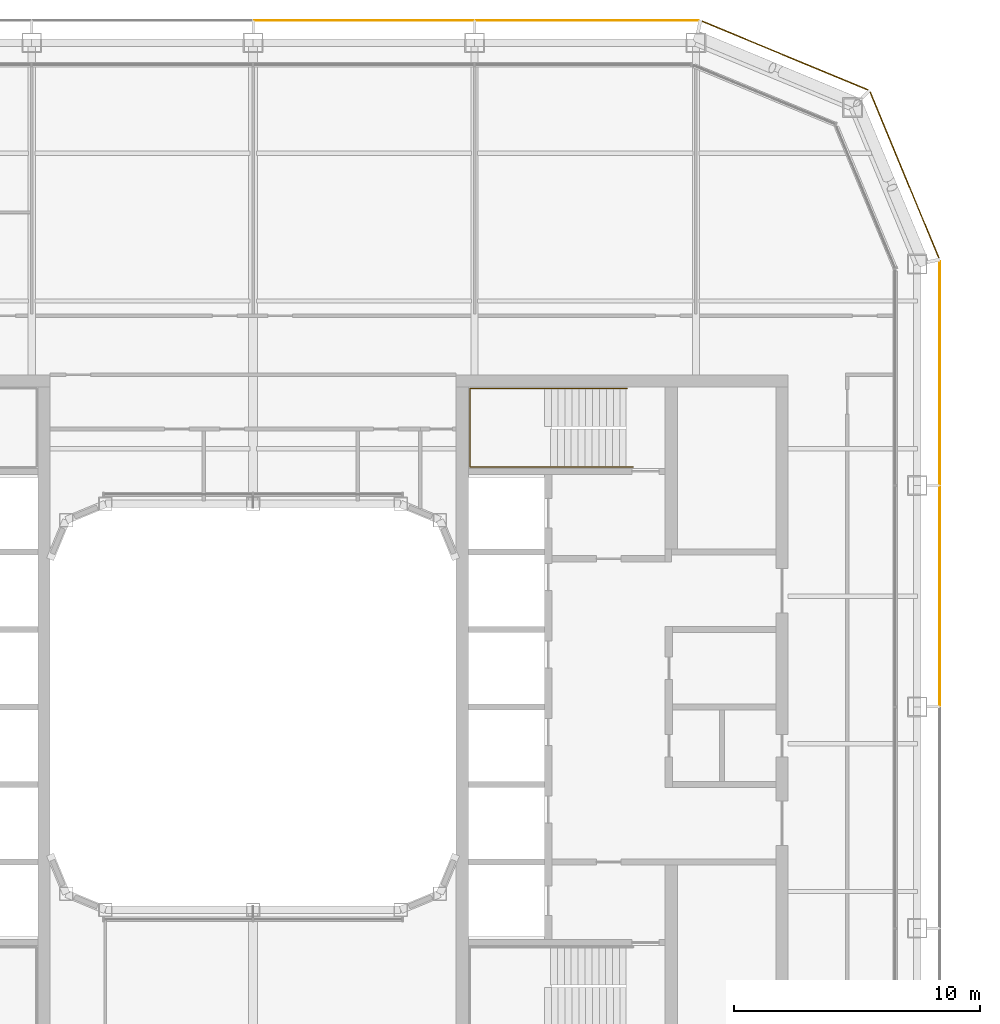
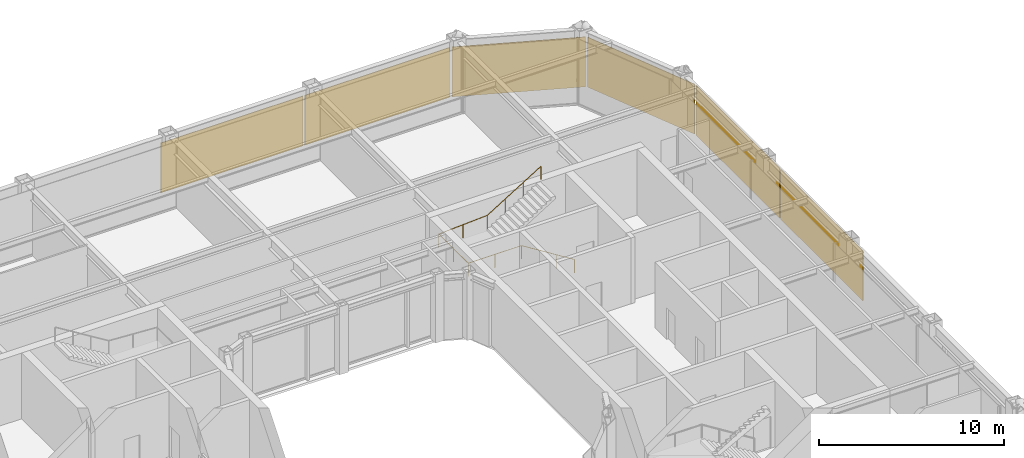
# One storey, part 21 of 22: 6 coverings, 1 railing.
"""IFC4 building model written with IfcOpenShell, lengths in metres."""

from ifc_helpers import new_model, si_unit, direction, frame, origin, origin_2d, place, context, subcontext, project, spatial, rectangle, circle, extrude, material, layer, layer_set, type_object, element, save


model = new_model("IFC4")

# Units and contexts
model_context = context("Model", 3, precision=1e-05, world=origin(), true_north=direction((0.0, 1.0)))
body_context = subcontext(model_context, "Body", "Model", "MODEL_VIEW")
ifc_project = project(units=[si_unit("LENGTHUNIT", "METRE"), si_unit("AREAUNIT", "SQUARE_METRE"), si_unit("VOLUMEUNIT", "CUBIC_METRE"), si_unit("PLANEANGLEUNIT", "RADIAN"), si_unit("MASSUNIT", "GRAM", prefix="KILO")], contexts=[model_context])

# Site, building, storey
site_placement = place(None, origin())
site = spatial("IfcSite", under=ifc_project, at=site_placement, CompositionType="ELEMENT")
building_placement = place(site_placement, origin())
building = spatial("IfcBuilding", under=site, at=building_placement, Name="Siwar Civic Tower", CompositionType="ELEMENT")
storey_placement = place(building_placement, frame((0.0, 0.0, 255.699951171875)))
storey = spatial("IfcBuildingStorey", under=building, at=storey_placement, Name="L55", CompositionType="ELEMENT", Elevation=255.699951171875)

# Railing
ifc_material_1 = material(Name="Stainless steel", Category="steel")
railing_type = type_object("IfcRailingType", Name="CORE-STAIR-HANDRAIL", PredefinedType="HANDRAIL", material=ifc_material_1)
railing_placement = place(storey_placement, frame((15.449951171875, 9.758056640625, 0.173095703125)))
element("IfcRailing", 1, at=railing_placement, inside=storey, type_object=railing_type, Name="Stair handrail ST3", PredefinedType="HANDRAIL", context=body_context, shape_type="SweptSolid", body=[
    extrude(circle(Radius=0.02001953125, at=origin_2d()), frame((0.0, 0.0, 0.8798828125), z_axis=(-0.847063342986, 0.0, 0.531491950051), x_axis=(0.0, -1.0, 0.0)), (0.0, 0.0, 1.0), 3.90771484375),
    extrude(circle(Radius=0.02001953125, at=origin_2d()), frame((-3.31005859375, 0.0, 2.956787109375), z_axis=(-1.0, 0.0, 0.0), x_axis=(0.0, -1.0, 0.0)), (0.0, 0.0, 1.0), 3.331787109375),
    extrude(circle(Radius=0.02001953125, at=origin_2d()), frame((-6.641845703125, 0.0, 2.956787109375), z_axis=(0.0, 1.0, 0.0), x_axis=(-1.0, 0.0, 0.0)), (0.0, 0.0, 1.0), 3.183837890625),
    extrude(circle(Radius=0.02001953125, at=origin_2d()), frame((-6.641845703125, 3.183837890625, 2.956787109375), z_axis=(0.99837434197, 0.0, 0.056997134106), x_axis=(0.0, 1.0, 0.0)), (0.0, 0.0, 1.0), 3.036865234375),
    extrude(circle(Radius=0.02001953125, at=origin_2d()), frame((-3.60986328125, 3.183837890625, 3.1298828125), z_axis=(0.850606129759, 0.0, 0.525803396734), x_axis=(0.0, 1.0, 0.0)), (0.0, 0.0, 1.0), 3.949951171875),
    extrude(circle(Radius=0.02001953125, at=origin_2d()), origin(), (0.0, 0.0, 1.0), 0.85986328125),
    extrude(circle(Radius=0.02001953125, at=origin_2d()), frame((-1.103271484375, 0.0, 0.6923828125)), (0.0, 0.0, 1.0), 0.85986328125),
    extrude(circle(Radius=0.02001953125, at=origin_2d()), frame((-2.206787109375, 0.0, 1.384521484375)), (0.0, 0.0, 1.0), 0.85986328125),
    extrude(circle(Radius=0.02001953125, at=origin_2d()), frame((-3.31005859375, 0.0, 2.076904296875)), (0.0, 0.0, 1.0), 0.85986328125),
    extrude(circle(Radius=0.02001953125, at=origin_2d()), frame((-4.97607421875, 0.0, 2.076904296875)), (0.0, 0.0, 1.0), 0.85986328125),
    extrude(circle(Radius=0.02001953125, at=origin_2d()), frame((-6.641845703125, 0.0, 2.076904296875)), (0.0, 0.0, 1.0), 0.85986328125),
    extrude(circle(Radius=0.02001953125, at=origin_2d()), frame((-6.641845703125, 1.591796875, 2.076904296875)), (0.0, 0.0, 1.0), 0.85986328125),
    extrude(circle(Radius=0.02001953125, at=origin_2d()), frame((-6.641845703125, 3.183837890625, 2.076904296875)), (0.0, 0.0, 1.0), 0.85986328125),
    extrude(circle(Radius=0.02001953125, at=origin_2d()), frame((-5.1259765625, 3.183837890625, 2.16357421875)), (0.0, 0.0, 1.0), 0.85986328125),
    extrude(circle(Radius=0.02001953125, at=origin_2d()), frame((-3.60986328125, 3.183837890625, 2.25)), (0.0, 0.0, 1.0), 0.85986328125),
    extrude(circle(Radius=0.02001953125, at=origin_2d()), frame((-2.489990234375, 3.183837890625, 2.9423828125)), (0.0, 0.0, 1.0), 0.85986328125),
    extrude(circle(Radius=0.02001953125, at=origin_2d()), frame((-1.369873046875, 3.183837890625, 3.634521484375)), (0.0, 0.0, 1.0), 0.85986328125),
    extrude(circle(Radius=0.02001953125, at=origin_2d()), frame((-0.25, 3.183837890625, 4.326904296875)), (0.0, 0.0, 1.0), 0.85986328125),
])

# Coverings
ifc_material_2 = material(Name="Perforated aluminium cassette, pale metal", Category="aluminium")
ifc_layer = layer(ifc_material_2, 0.0400390625)
ifc_layer_set = layer_set([ifc_layer], Name="Perforated aluminium cassette, pale metal")
covering_type = type_object("IfcCoveringType", Name="ENV-OUTER SKIN OS-1", PredefinedType="CLADDING", material=ifc_layer_set)
covering_1_placement = place(storey_placement, frame((27.89990234375, 4.5, -0.14990234375), z_axis=(0.0, 0.0, 1.0), x_axis=(0.0, 1.0, 0.0)))
element("IfcCovering", 2, at=covering_1_placement, inside=storey, type_object=covering_type, Name="OUTER SKIN OS-1 E 3", PredefinedType="CLADDING", context=body_context, shape_type="SweptSolid", body=[
    extrude(rectangle(XDim=8.89990234375, YDim=0.0400390625, at=origin_2d()), origin(), (0.0, 0.0, 1.0), 3.300048828125),
])
covering_2_placement = place(storey_placement, frame((27.89990234375, 13.57958984375, -0.14990234375), z_axis=(0.0, 0.0, 1.0), x_axis=(0.0, 1.0, 0.0)))
element("IfcCovering", 3, at=covering_2_placement, inside=storey, type_object=covering_type, Name="OUTER SKIN OS-1 E 4", PredefinedType="CLADDING", context=body_context, shape_type="SweptSolid", body=[
    extrude(rectangle(XDim=9.05908203125, YDim=0.0400390625, at=origin_2d()), origin(), (0.0, 0.0, 1.0), 3.300048828125),
])
for number, where, z_axis, x_axis, name in (
    (4, (26.476318359375, 21.615966796875, -0.14990234375), (0.0, 0.0, 1.0), (-0.382683432365, 0.923879532511, 0.0), "OUTER SKIN OS-1 NE1 1"),
    (5, (21.615966796875, 26.476318359375, -0.14990234375), (0.0, 0.0, 1.0), (-0.923879532511, 0.382683432365, 0.0), "OUTER SKIN OS-1 NE2 1"),
):
    element("IfcCovering", number, at=place(storey_placement, frame(where, z_axis=z_axis, x_axis=x_axis)), inside=storey, type_object=covering_type, Name=name, PredefinedType="CLADDING", context=body_context, shape_type="SweptSolid", body=[
        extrude(rectangle(XDim=7.300048828125, YDim=0.0400390625, at=origin_2d()), origin(), (0.0, 0.0, 1.0), 3.300048828125),
    ])
covering_3_placement = place(storey_placement, frame((13.57958984375, 27.89990234375, -0.14990234375), z_axis=(0.0, 0.0, 1.0), x_axis=(-1.0, 0.0, 0.0)))
element("IfcCovering", 6, at=covering_3_placement, inside=storey, type_object=covering_type, Name="OUTER SKIN OS-1 N 1", PredefinedType="CLADDING", context=body_context, shape_type="SweptSolid", body=[
    extrude(rectangle(XDim=9.05908203125, YDim=0.0400390625, at=origin_2d()), origin(), (0.0, 0.0, 1.0), 3.300048828125),
])
covering_4_placement = place(storey_placement, frame((4.5, 27.89990234375, -0.14990234375), z_axis=(0.0, 0.0, 1.0), x_axis=(-1.0, 0.0, 0.0)))
element("IfcCovering", 7, at=covering_4_placement, inside=storey, type_object=covering_type, Name="OUTER SKIN OS-1 N 2", PredefinedType="CLADDING", context=body_context, shape_type="SweptSolid", body=[
    extrude(rectangle(XDim=8.89990234375, YDim=0.0400390625, at=origin_2d()), origin(), (0.0, 0.0, 1.0), 3.300048828125),
])

save(model, "model.ifc")
